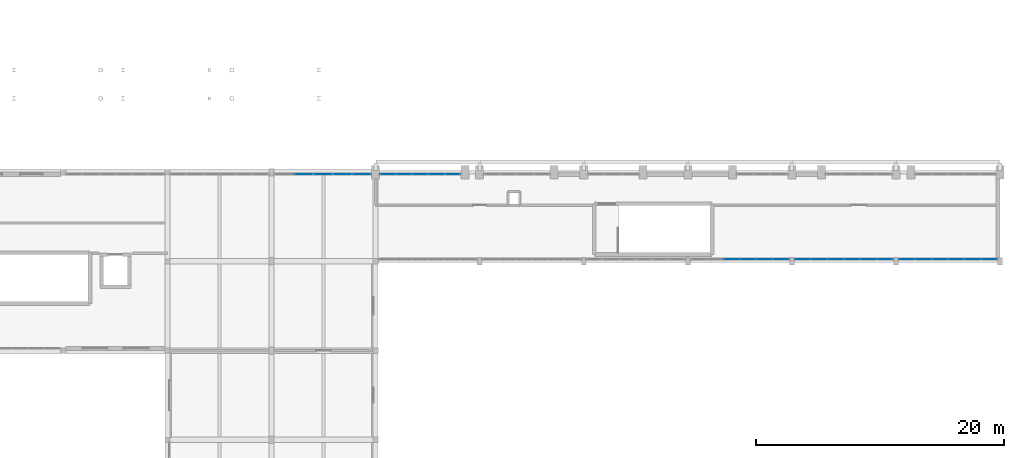
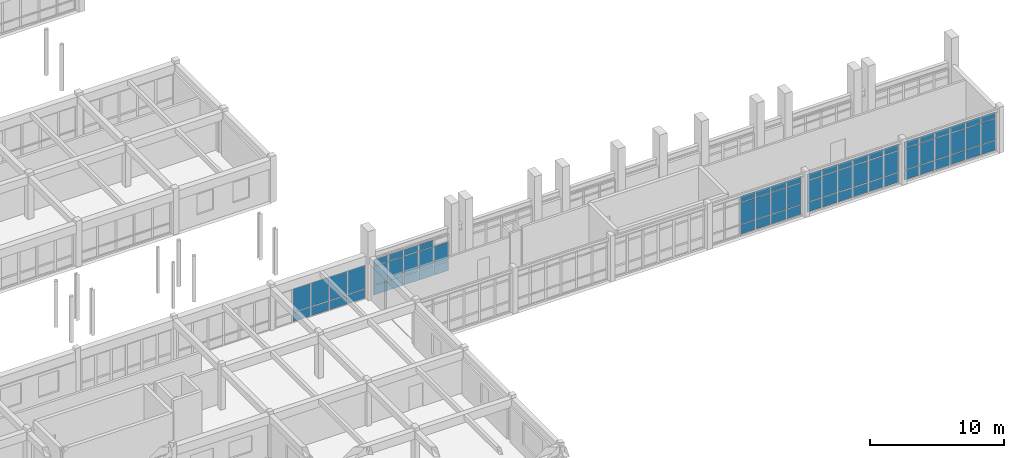
# One storey, part 116 of 147: 70 plates, 5 elements without a shape of their own.
"""IFC4 building model written with IfcOpenShell, lengths in metres."""

from ifc_helpers import new_model, si_unit, direction, frame, origin, origin_2d, place, context, subcontext, project, spatial, rectangle, extrude, material, layer, layer_set, type_object, element, aggregate, save


model = new_model("IFC4")

# Units and contexts
model_context = context("Model", 3, precision=1e-05, world=origin(), true_north=direction((0.0, 1.0)))
body_context = subcontext(model_context, "Body", "Model", "MODEL_VIEW")
ifc_project = project(units=[si_unit("LENGTHUNIT", "METRE"), si_unit("AREAUNIT", "SQUARE_METRE"), si_unit("VOLUMEUNIT", "CUBIC_METRE"), si_unit("PLANEANGLEUNIT", "RADIAN"), si_unit("MASSUNIT", "GRAM", prefix="KILO")], contexts=[model_context])

# Site, building, storey
site_placement = place(None, origin())
site = spatial("IfcSite", under=ifc_project, at=site_placement, CompositionType="ELEMENT")
building_placement = place(site_placement, origin())
building = spatial("IfcBuilding", under=site, at=building_placement, Name="Malvenik Polytechnic", CompositionType="ELEMENT")
storey_placement = place(building_placement, frame((0.0, 0.0, 5.10009765625)))
storey = spatial("IfcBuildingStorey", under=building, at=storey_placement, Name="L01", CompositionType="ELEMENT", Elevation=5.10009765625)

# Curtain wall, plates
ifc_material_1 = material(Name="Anodised aluminium 6060-T6", Category="aluminium")
curtain_wall_type_1 = type_object("IfcCurtainWallType", Name="ARC-CW-CW-02", PredefinedType="NOTDEFINED", material=ifc_material_1)
curtain_wall_1_placement = place(storey_placement, origin())
curtain_wall_1 = element("IfcCurtainWall", 1, at=curtain_wall_1_placement, inside=storey, type_object=curtain_wall_type_1, Name="Unitised Curtain Wall CW-02 L01 #98", PredefinedType="NOTDEFINED")
ifc_material_2 = material(Name="Insulated low-E double glazing 8-16-8", Category="glass")
ifc_layer_1 = layer(ifc_material_2, 0.028076171875)
ifc_layer_set_1 = layer_set([ifc_layer_1], Name="Insulated low-E double glazing 8-16-8")
plate_type_1 = type_object("IfcPlateType", Name="ARC-CWP-CP-GLZ28", PredefinedType="CURTAIN_PANEL", material=ifc_layer_set_1)
plate_1_placement = place(storey_placement, frame((128.561767578125, 35.830078125, 0.929931640625), z_axis=(0.0, 0.0, 1.0), x_axis=(1.0, 0.0, 0.0)))
plate_1 = element("IfcPlate", 2, at=plate_1_placement, type_object=plate_type_1, Name="CW-02 panel 2.2", PredefinedType="CURTAIN_PANEL", context=body_context, shape_type="SweptSolid", body=[
    extrude(rectangle(XDim=1.515869140625, YDim=0.028076171875, at=origin_2d()), origin(), (0.0, 0.0, 1.0), 2.1201171875),
])
plate_2_placement = place(storey_placement, frame((130.137451171875, 35.830078125, 0.929931640625), z_axis=(0.0, 0.0, 1.0), x_axis=(1.0, 0.0, 0.0)))
plate_2 = element("IfcPlate", 3, at=plate_2_placement, type_object=plate_type_1, Name="CW-02 panel 3.2", PredefinedType="CURTAIN_PANEL", context=body_context, shape_type="SweptSolid", body=[
    extrude(rectangle(XDim=1.515869140625, YDim=0.028076171875, at=origin_2d()), origin(), (0.0, 0.0, 1.0), 2.1201171875),
])
plate_3_placement = place(storey_placement, frame((131.71337890625, 35.830078125, 0.929931640625), z_axis=(0.0, 0.0, 1.0), x_axis=(1.0, 0.0, 0.0)))
plate_3 = element("IfcPlate", 4, at=plate_3_placement, type_object=plate_type_1, Name="CW-02 panel 4.2", PredefinedType="CURTAIN_PANEL", context=body_context, shape_type="SweptSolid", body=[
    extrude(rectangle(XDim=1.515869140625, YDim=0.028076171875, at=origin_2d()), origin(), (0.0, 0.0, 1.0), 2.1201171875),
])
plate_4_placement = place(storey_placement, frame((133.274169921875, 35.830078125, 0.929931640625), z_axis=(0.0, 0.0, 1.0), x_axis=(1.0, 0.0, 0.0)))
plate_4 = element("IfcPlate", 5, at=plate_4_placement, type_object=plate_type_1, Name="CW-02 panel 5.2", PredefinedType="CURTAIN_PANEL", context=body_context, shape_type="SweptSolid", body=[
    extrude(rectangle(XDim=1.48583984375, YDim=0.028076171875, at=origin_2d()), origin(), (0.0, 0.0, 1.0), 2.1201171875),
])

curtain_wall_type_2 = type_object("IfcCurtainWallType", Name="ARC-CW-CW-05", PredefinedType="NOTDEFINED", material=ifc_material_1)
curtain_wall_2_placement = place(storey_placement, origin())
curtain_wall_2 = element("IfcCurtainWall", 6, at=curtain_wall_2_placement, inside=storey, type_object=curtain_wall_type_2, Name="Unitised Curtain Wall CW-05 L01 #99", PredefinedType="NOTDEFINED")
plate_5_placement = place(storey_placement, frame((135.393310546875, 35.830078125, 0.97998046875), z_axis=(0.0, 0.0, 1.0), x_axis=(1.0, 0.0, 0.0)))
plate_5 = element("IfcPlate", 7, at=plate_5_placement, type_object=plate_type_1, Name="CW-05 panel 1.2", PredefinedType="CURTAIN_PANEL", context=body_context, shape_type="SweptSolid", body=[
    extrude(rectangle(XDim=1.220703125, YDim=0.028076171875, at=origin_2d()), origin(), (0.0, 0.0, 1.0), 1.68798828125),
])
plate_6_placement = place(storey_placement, frame((135.393310546875, 35.830078125, 2.727783203125), z_axis=(0.0, 0.0, 1.0), x_axis=(1.0, 0.0, 0.0)))
plate_6 = element("IfcPlate", 8, at=plate_6_placement, type_object=plate_type_1, Name="CW-05 panel 1.3", PredefinedType="CURTAIN_PANEL", context=body_context, shape_type="SweptSolid", body=[
    extrude(rectangle(XDim=1.220703125, YDim=0.028076171875, at=origin_2d()), origin(), (0.0, 0.0, 1.0), 0.56005859375),
])
plate_7_placement = place(storey_placement, frame((136.689208984375, 35.830078125, 0.97998046875), z_axis=(0.0, 0.0, 1.0), x_axis=(1.0, 0.0, 0.0)))
plate_7 = element("IfcPlate", 9, at=plate_7_placement, type_object=plate_type_1, Name="CW-05 panel 2.2", PredefinedType="CURTAIN_PANEL", context=body_context, shape_type="SweptSolid", body=[
    extrude(rectangle(XDim=1.250732421875, YDim=0.028076171875, at=origin_2d()), origin(), (0.0, 0.0, 1.0), 1.68798828125),
])
plate_8_placement = place(storey_placement, frame((136.689208984375, 35.830078125, 2.727783203125), z_axis=(0.0, 0.0, 1.0), x_axis=(1.0, 0.0, 0.0)))
plate_8 = element("IfcPlate", 10, at=plate_8_placement, type_object=plate_type_1, Name="CW-05 panel 2.3", PredefinedType="CURTAIN_PANEL", context=body_context, shape_type="SweptSolid", body=[
    extrude(rectangle(XDim=1.250732421875, YDim=0.028076171875, at=origin_2d()), origin(), (0.0, 0.0, 1.0), 0.56005859375),
])
plate_9_placement = place(storey_placement, frame((138.0, 35.830078125, 0.97998046875), z_axis=(0.0, 0.0, 1.0), x_axis=(1.0, 0.0, 0.0)))
plate_9 = element("IfcPlate", 11, at=plate_9_placement, type_object=plate_type_1, Name="CW-05 panel 3.2", PredefinedType="CURTAIN_PANEL", context=body_context, shape_type="SweptSolid", body=[
    extrude(rectangle(XDim=1.250732421875, YDim=0.028076171875, at=origin_2d()), origin(), (0.0, 0.0, 1.0), 1.68798828125),
])
plate_10_placement = place(storey_placement, frame((138.0, 35.830078125, 2.727783203125), z_axis=(0.0, 0.0, 1.0), x_axis=(1.0, 0.0, 0.0)))
plate_10 = element("IfcPlate", 12, at=plate_10_placement, type_object=plate_type_1, Name="CW-05 panel 3.3", PredefinedType="CURTAIN_PANEL", context=body_context, shape_type="SweptSolid", body=[
    extrude(rectangle(XDim=1.250732421875, YDim=0.028076171875, at=origin_2d()), origin(), (0.0, 0.0, 1.0), 0.56005859375),
])
plate_11_placement = place(storey_placement, frame((139.310791015625, 35.830078125, 0.97998046875), z_axis=(0.0, 0.0, 1.0), x_axis=(1.0, 0.0, 0.0)))
plate_11 = element("IfcPlate", 13, at=plate_11_placement, type_object=plate_type_1, Name="CW-05 panel 4.2", PredefinedType="CURTAIN_PANEL", context=body_context, shape_type="SweptSolid", body=[
    extrude(rectangle(XDim=1.250732421875, YDim=0.028076171875, at=origin_2d()), origin(), (0.0, 0.0, 1.0), 1.68798828125),
])
plate_12_placement = place(storey_placement, frame((139.310791015625, 35.830078125, 2.727783203125), z_axis=(0.0, 0.0, 1.0), x_axis=(1.0, 0.0, 0.0)))
plate_12 = element("IfcPlate", 14, at=plate_12_placement, type_object=plate_type_1, Name="CW-05 panel 4.3", PredefinedType="CURTAIN_PANEL", context=body_context, shape_type="SweptSolid", body=[
    extrude(rectangle(XDim=1.250732421875, YDim=0.028076171875, at=origin_2d()), origin(), (0.0, 0.0, 1.0), 0.56005859375),
])
plate_13_placement = place(storey_placement, frame((140.606689453125, 35.830078125, 0.97998046875), z_axis=(0.0, 0.0, 1.0), x_axis=(1.0, 0.0, 0.0)))
plate_13 = element("IfcPlate", 15, at=plate_13_placement, type_object=plate_type_1, Name="CW-05 panel 5.2", PredefinedType="CURTAIN_PANEL", context=body_context, shape_type="SweptSolid", body=[
    extrude(rectangle(XDim=1.220703125, YDim=0.028076171875, at=origin_2d()), origin(), (0.0, 0.0, 1.0), 1.68798828125),
])

curtain_wall_3_placement = place(storey_placement, origin())
curtain_wall_3 = element("IfcCurtainWall", 16, at=curtain_wall_3_placement, inside=storey, type_object=curtain_wall_type_1, Name="Unitised Curtain Wall CW-02 L01 #105", PredefinedType="NOTDEFINED")
plate_14_placement = place(storey_placement, frame((183.919921875, 28.969970703125, 0.97998046875), z_axis=(0.0, 0.0, 1.0), x_axis=(-1.0, 0.0, 0.0)))
plate_14 = element("IfcPlate", 17, at=plate_14_placement, type_object=plate_type_1, Name="CW-02 panel 1.2", PredefinedType="CURTAIN_PANEL", context=body_context, shape_type="SweptSolid", body=[
    extrude(rectangle(XDim=1.243896484375, YDim=0.028076171875, at=origin_2d()), origin(), (0.0, 0.0, 1.0), 1.93798828125),
])
plate_15_placement = place(storey_placement, frame((183.919921875, 28.969970703125, 2.977783203125), z_axis=(0.0, 0.0, 1.0), x_axis=(-1.0, 0.0, 0.0)))
plate_15 = element("IfcPlate", 18, at=plate_15_placement, type_object=plate_type_1, Name="CW-02 panel 1.3", PredefinedType="CURTAIN_PANEL", context=body_context, shape_type="SweptSolid", body=[
    extrude(rectangle(XDim=1.243896484375, YDim=0.028076171875, at=origin_2d()), origin(), (0.0, 0.0, 1.0), 0.56005859375),
])
plate_16_placement = place(storey_placement, frame((182.60107421875, 28.969970703125, 0.97998046875), z_axis=(0.0, 0.0, 1.0), x_axis=(-1.0, 0.0, 0.0)))
plate_16 = element("IfcPlate", 19, at=plate_16_placement, type_object=plate_type_1, Name="CW-02 panel 2.2", PredefinedType="CURTAIN_PANEL", context=body_context, shape_type="SweptSolid", body=[
    extrude(rectangle(XDim=1.27392578125, YDim=0.028076171875, at=origin_2d()), origin(), (0.0, 0.0, 1.0), 1.93798828125),
])
plate_17_placement = place(storey_placement, frame((182.60107421875, 28.969970703125, 2.977783203125), z_axis=(0.0, 0.0, 1.0), x_axis=(-1.0, 0.0, 0.0)))
plate_17 = element("IfcPlate", 20, at=plate_17_placement, type_object=plate_type_1, Name="CW-02 panel 2.3", PredefinedType="CURTAIN_PANEL", context=body_context, shape_type="SweptSolid", body=[
    extrude(rectangle(XDim=1.27392578125, YDim=0.028076171875, at=origin_2d()), origin(), (0.0, 0.0, 1.0), 0.56005859375),
])
plate_18_placement = place(storey_placement, frame((181.26708984375, 28.969970703125, 0.97998046875), z_axis=(0.0, 0.0, 1.0), x_axis=(-1.0, 0.0, 0.0)))
plate_18 = element("IfcPlate", 21, at=plate_18_placement, type_object=plate_type_1, Name="CW-02 panel 3.2", PredefinedType="CURTAIN_PANEL", context=body_context, shape_type="SweptSolid", body=[
    extrude(rectangle(XDim=1.27392578125, YDim=0.028076171875, at=origin_2d()), origin(), (0.0, 0.0, 1.0), 1.93798828125),
])
plate_19_placement = place(storey_placement, frame((181.26708984375, 28.969970703125, 2.977783203125), z_axis=(0.0, 0.0, 1.0), x_axis=(-1.0, 0.0, 0.0)))
plate_19 = element("IfcPlate", 22, at=plate_19_placement, type_object=plate_type_1, Name="CW-02 panel 3.3", PredefinedType="CURTAIN_PANEL", context=body_context, shape_type="SweptSolid", body=[
    extrude(rectangle(XDim=1.27392578125, YDim=0.028076171875, at=origin_2d()), origin(), (0.0, 0.0, 1.0), 0.56005859375),
])
plate_20_placement = place(storey_placement, frame((179.93310546875, 28.969970703125, 0.97998046875), z_axis=(0.0, 0.0, 1.0), x_axis=(-1.0, 0.0, 0.0)))
plate_20 = element("IfcPlate", 23, at=plate_20_placement, type_object=plate_type_1, Name="CW-02 panel 4.2", PredefinedType="CURTAIN_PANEL", context=body_context, shape_type="SweptSolid", body=[
    extrude(rectangle(XDim=1.27392578125, YDim=0.028076171875, at=origin_2d()), origin(), (0.0, 0.0, 1.0), 1.93798828125),
])
plate_21_placement = place(storey_placement, frame((179.93310546875, 28.969970703125, 2.977783203125), z_axis=(0.0, 0.0, 1.0), x_axis=(-1.0, 0.0, 0.0)))
plate_21 = element("IfcPlate", 24, at=plate_21_placement, type_object=plate_type_1, Name="CW-02 panel 4.3", PredefinedType="CURTAIN_PANEL", context=body_context, shape_type="SweptSolid", body=[
    extrude(rectangle(XDim=1.27392578125, YDim=0.028076171875, at=origin_2d()), origin(), (0.0, 0.0, 1.0), 0.56005859375),
])
plate_22_placement = place(storey_placement, frame((178.59912109375, 28.969970703125, 0.97998046875), z_axis=(0.0, 0.0, 1.0), x_axis=(-1.0, 0.0, 0.0)))
plate_22 = element("IfcPlate", 25, at=plate_22_placement, type_object=plate_type_1, Name="CW-02 panel 5.2", PredefinedType="CURTAIN_PANEL", context=body_context, shape_type="SweptSolid", body=[
    extrude(rectangle(XDim=1.27392578125, YDim=0.028076171875, at=origin_2d()), origin(), (0.0, 0.0, 1.0), 1.93798828125),
])
plate_23_placement = place(storey_placement, frame((178.59912109375, 28.969970703125, 2.977783203125), z_axis=(0.0, 0.0, 1.0), x_axis=(-1.0, 0.0, 0.0)))
plate_23 = element("IfcPlate", 26, at=plate_23_placement, type_object=plate_type_1, Name="CW-02 panel 5.3", PredefinedType="CURTAIN_PANEL", context=body_context, shape_type="SweptSolid", body=[
    extrude(rectangle(XDim=1.27392578125, YDim=0.028076171875, at=origin_2d()), origin(), (0.0, 0.0, 1.0), 0.56005859375),
])
plate_24_placement = place(storey_placement, frame((177.280029296875, 28.969970703125, 0.97998046875), z_axis=(0.0, 0.0, 1.0), x_axis=(-1.0, 0.0, 0.0)))
plate_24 = element("IfcPlate", 27, at=plate_24_placement, type_object=plate_type_1, Name="CW-02 panel 6.2", PredefinedType="CURTAIN_PANEL", context=body_context, shape_type="SweptSolid", body=[
    extrude(rectangle(XDim=1.243896484375, YDim=0.028076171875, at=origin_2d()), origin(), (0.0, 0.0, 1.0), 1.93798828125),
])
plate_25_placement = place(storey_placement, frame((177.280029296875, 28.969970703125, 2.977783203125), z_axis=(0.0, 0.0, 1.0), x_axis=(-1.0, 0.0, 0.0)))
plate_25 = element("IfcPlate", 28, at=plate_25_placement, type_object=plate_type_1, Name="CW-02 panel 6.3", PredefinedType="CURTAIN_PANEL", context=body_context, shape_type="SweptSolid", body=[
    extrude(rectangle(XDim=1.243896484375, YDim=0.028076171875, at=origin_2d()), origin(), (0.0, 0.0, 1.0), 0.56005859375),
])

curtain_wall_4_placement = place(storey_placement, origin())
curtain_wall_4 = element("IfcCurtainWall", 29, at=curtain_wall_4_placement, inside=storey, type_object=curtain_wall_type_1, Name="Unitised Curtain Wall CW-02 L01 #106", PredefinedType="NOTDEFINED")
plate_26_placement = place(storey_placement, frame((175.52001953125, 28.969970703125, 0.97998046875), z_axis=(0.0, 0.0, 1.0), x_axis=(-1.0, 0.0, 0.0)))
plate_26 = element("IfcPlate", 30, at=plate_26_placement, type_object=plate_type_1, Name="CW-02 panel 1.2", PredefinedType="CURTAIN_PANEL", context=body_context, shape_type="SweptSolid", body=[
    extrude(rectangle(XDim=1.243896484375, YDim=0.028076171875, at=origin_2d()), origin(), (0.0, 0.0, 1.0), 1.93798828125),
])
plate_27_placement = place(storey_placement, frame((175.52001953125, 28.969970703125, 2.977783203125), z_axis=(0.0, 0.0, 1.0), x_axis=(-1.0, 0.0, 0.0)))
plate_27 = element("IfcPlate", 31, at=plate_27_placement, type_object=plate_type_1, Name="CW-02 panel 1.3", PredefinedType="CURTAIN_PANEL", context=body_context, shape_type="SweptSolid", body=[
    extrude(rectangle(XDim=1.243896484375, YDim=0.028076171875, at=origin_2d()), origin(), (0.0, 0.0, 1.0), 0.56005859375),
])
plate_28_placement = place(storey_placement, frame((174.200927734375, 28.969970703125, 0.97998046875), z_axis=(0.0, 0.0, 1.0), x_axis=(-1.0, 0.0, 0.0)))
plate_28 = element("IfcPlate", 32, at=plate_28_placement, type_object=plate_type_1, Name="CW-02 panel 2.2", PredefinedType="CURTAIN_PANEL", context=body_context, shape_type="SweptSolid", body=[
    extrude(rectangle(XDim=1.27392578125, YDim=0.028076171875, at=origin_2d()), origin(), (0.0, 0.0, 1.0), 1.93798828125),
])
plate_29_placement = place(storey_placement, frame((174.200927734375, 28.969970703125, 2.977783203125), z_axis=(0.0, 0.0, 1.0), x_axis=(-1.0, 0.0, 0.0)))
plate_29 = element("IfcPlate", 33, at=plate_29_placement, type_object=plate_type_1, Name="CW-02 panel 2.3", PredefinedType="CURTAIN_PANEL", context=body_context, shape_type="SweptSolid", body=[
    extrude(rectangle(XDim=1.27392578125, YDim=0.028076171875, at=origin_2d()), origin(), (0.0, 0.0, 1.0), 0.56005859375),
])
plate_30_placement = place(storey_placement, frame((172.866943359375, 28.969970703125, 0.97998046875), z_axis=(0.0, 0.0, 1.0), x_axis=(-1.0, 0.0, 0.0)))
plate_30 = element("IfcPlate", 34, at=plate_30_placement, type_object=plate_type_1, Name="CW-02 panel 3.2", PredefinedType="CURTAIN_PANEL", context=body_context, shape_type="SweptSolid", body=[
    extrude(rectangle(XDim=1.27392578125, YDim=0.028076171875, at=origin_2d()), origin(), (0.0, 0.0, 1.0), 1.93798828125),
])
plate_31_placement = place(storey_placement, frame((172.866943359375, 28.969970703125, 2.977783203125), z_axis=(0.0, 0.0, 1.0), x_axis=(-1.0, 0.0, 0.0)))
plate_31 = element("IfcPlate", 35, at=plate_31_placement, type_object=plate_type_1, Name="CW-02 panel 3.3", PredefinedType="CURTAIN_PANEL", context=body_context, shape_type="SweptSolid", body=[
    extrude(rectangle(XDim=1.27392578125, YDim=0.028076171875, at=origin_2d()), origin(), (0.0, 0.0, 1.0), 0.56005859375),
])
plate_32_placement = place(storey_placement, frame((171.532958984375, 28.969970703125, 0.97998046875), z_axis=(0.0, 0.0, 1.0), x_axis=(-1.0, 0.0, 0.0)))
plate_32 = element("IfcPlate", 36, at=plate_32_placement, type_object=plate_type_1, Name="CW-02 panel 4.2", PredefinedType="CURTAIN_PANEL", context=body_context, shape_type="SweptSolid", body=[
    extrude(rectangle(XDim=1.27392578125, YDim=0.028076171875, at=origin_2d()), origin(), (0.0, 0.0, 1.0), 1.93798828125),
])
plate_33_placement = place(storey_placement, frame((171.532958984375, 28.969970703125, 2.977783203125), z_axis=(0.0, 0.0, 1.0), x_axis=(-1.0, 0.0, 0.0)))
plate_33 = element("IfcPlate", 37, at=plate_33_placement, type_object=plate_type_1, Name="CW-02 panel 4.3", PredefinedType="CURTAIN_PANEL", context=body_context, shape_type="SweptSolid", body=[
    extrude(rectangle(XDim=1.27392578125, YDim=0.028076171875, at=origin_2d()), origin(), (0.0, 0.0, 1.0), 0.56005859375),
])
plate_34_placement = place(storey_placement, frame((170.198974609375, 28.969970703125, 0.97998046875), z_axis=(0.0, 0.0, 1.0), x_axis=(-1.0, 0.0, 0.0)))
plate_34 = element("IfcPlate", 38, at=plate_34_placement, type_object=plate_type_1, Name="CW-02 panel 5.2", PredefinedType="CURTAIN_PANEL", context=body_context, shape_type="SweptSolid", body=[
    extrude(rectangle(XDim=1.27392578125, YDim=0.028076171875, at=origin_2d()), origin(), (0.0, 0.0, 1.0), 1.93798828125),
])
plate_35_placement = place(storey_placement, frame((170.198974609375, 28.969970703125, 2.977783203125), z_axis=(0.0, 0.0, 1.0), x_axis=(-1.0, 0.0, 0.0)))
plate_35 = element("IfcPlate", 39, at=plate_35_placement, type_object=plate_type_1, Name="CW-02 panel 5.3", PredefinedType="CURTAIN_PANEL", context=body_context, shape_type="SweptSolid", body=[
    extrude(rectangle(XDim=1.27392578125, YDim=0.028076171875, at=origin_2d()), origin(), (0.0, 0.0, 1.0), 0.56005859375),
])
plate_36_placement = place(storey_placement, frame((168.8798828125, 28.969970703125, 0.97998046875), z_axis=(0.0, 0.0, 1.0), x_axis=(-1.0, 0.0, 0.0)))
plate_36 = element("IfcPlate", 40, at=plate_36_placement, type_object=plate_type_1, Name="CW-02 panel 6.2", PredefinedType="CURTAIN_PANEL", context=body_context, shape_type="SweptSolid", body=[
    extrude(rectangle(XDim=1.243896484375, YDim=0.028076171875, at=origin_2d()), origin(), (0.0, 0.0, 1.0), 1.93798828125),
])
plate_37_placement = place(storey_placement, frame((168.8798828125, 28.969970703125, 2.977783203125), z_axis=(0.0, 0.0, 1.0), x_axis=(-1.0, 0.0, 0.0)))
plate_37 = element("IfcPlate", 41, at=plate_37_placement, type_object=plate_type_1, Name="CW-02 panel 6.3", PredefinedType="CURTAIN_PANEL", context=body_context, shape_type="SweptSolid", body=[
    extrude(rectangle(XDim=1.243896484375, YDim=0.028076171875, at=origin_2d()), origin(), (0.0, 0.0, 1.0), 0.56005859375),
])

curtain_wall_5_placement = place(storey_placement, origin())
curtain_wall_5 = element("IfcCurtainWall", 42, at=curtain_wall_5_placement, inside=storey, type_object=curtain_wall_type_1, Name="Unitised Curtain Wall CW-02 L01 #107", PredefinedType="NOTDEFINED")
plate_38_placement = place(storey_placement, frame((167.1201171875, 28.969970703125, 0.97998046875), z_axis=(0.0, 0.0, 1.0), x_axis=(-1.0, 0.0, 0.0)))
plate_38 = element("IfcPlate", 43, at=plate_38_placement, type_object=plate_type_1, Name="CW-02 panel 1.2", PredefinedType="CURTAIN_PANEL", context=body_context, shape_type="SweptSolid", body=[
    extrude(rectangle(XDim=1.243896484375, YDim=0.028076171875, at=origin_2d()), origin(), (0.0, 0.0, 1.0), 1.93798828125),
])
plate_39_placement = place(storey_placement, frame((167.1201171875, 28.969970703125, 2.977783203125), z_axis=(0.0, 0.0, 1.0), x_axis=(-1.0, 0.0, 0.0)))
plate_39 = element("IfcPlate", 44, at=plate_39_placement, type_object=plate_type_1, Name="CW-02 panel 1.3", PredefinedType="CURTAIN_PANEL", context=body_context, shape_type="SweptSolid", body=[
    extrude(rectangle(XDim=1.243896484375, YDim=0.028076171875, at=origin_2d()), origin(), (0.0, 0.0, 1.0), 0.56005859375),
])
plate_40_placement = place(storey_placement, frame((165.801025390625, 28.969970703125, 0.97998046875), z_axis=(0.0, 0.0, 1.0), x_axis=(-1.0, 0.0, 0.0)))
plate_40 = element("IfcPlate", 45, at=plate_40_placement, type_object=plate_type_1, Name="CW-02 panel 2.2", PredefinedType="CURTAIN_PANEL", context=body_context, shape_type="SweptSolid", body=[
    extrude(rectangle(XDim=1.27392578125, YDim=0.028076171875, at=origin_2d()), origin(), (0.0, 0.0, 1.0), 1.93798828125),
])
plate_41_placement = place(storey_placement, frame((165.801025390625, 28.969970703125, 2.977783203125), z_axis=(0.0, 0.0, 1.0), x_axis=(-1.0, 0.0, 0.0)))
plate_41 = element("IfcPlate", 46, at=plate_41_placement, type_object=plate_type_1, Name="CW-02 panel 2.3", PredefinedType="CURTAIN_PANEL", context=body_context, shape_type="SweptSolid", body=[
    extrude(rectangle(XDim=1.27392578125, YDim=0.028076171875, at=origin_2d()), origin(), (0.0, 0.0, 1.0), 0.56005859375),
])
plate_42_placement = place(storey_placement, frame((164.467041015625, 28.969970703125, 0.97998046875), z_axis=(0.0, 0.0, 1.0), x_axis=(-1.0, 0.0, 0.0)))
plate_42 = element("IfcPlate", 47, at=plate_42_placement, type_object=plate_type_1, Name="CW-02 panel 3.2", PredefinedType="CURTAIN_PANEL", context=body_context, shape_type="SweptSolid", body=[
    extrude(rectangle(XDim=1.27392578125, YDim=0.028076171875, at=origin_2d()), origin(), (0.0, 0.0, 1.0), 1.93798828125),
])
plate_43_placement = place(storey_placement, frame((164.467041015625, 28.969970703125, 2.977783203125), z_axis=(0.0, 0.0, 1.0), x_axis=(-1.0, 0.0, 0.0)))
plate_43 = element("IfcPlate", 48, at=plate_43_placement, type_object=plate_type_1, Name="CW-02 panel 3.3", PredefinedType="CURTAIN_PANEL", context=body_context, shape_type="SweptSolid", body=[
    extrude(rectangle(XDim=1.27392578125, YDim=0.028076171875, at=origin_2d()), origin(), (0.0, 0.0, 1.0), 0.56005859375),
])
plate_44_placement = place(storey_placement, frame((163.133056640625, 28.969970703125, 0.97998046875), z_axis=(0.0, 0.0, 1.0), x_axis=(-1.0, 0.0, 0.0)))
plate_44 = element("IfcPlate", 49, at=plate_44_placement, type_object=plate_type_1, Name="CW-02 panel 4.2", PredefinedType="CURTAIN_PANEL", context=body_context, shape_type="SweptSolid", body=[
    extrude(rectangle(XDim=1.27392578125, YDim=0.028076171875, at=origin_2d()), origin(), (0.0, 0.0, 1.0), 1.93798828125),
])
plate_45_placement = place(storey_placement, frame((163.133056640625, 28.969970703125, 2.977783203125), z_axis=(0.0, 0.0, 1.0), x_axis=(-1.0, 0.0, 0.0)))
plate_45 = element("IfcPlate", 50, at=plate_45_placement, type_object=plate_type_1, Name="CW-02 panel 4.3", PredefinedType="CURTAIN_PANEL", context=body_context, shape_type="SweptSolid", body=[
    extrude(rectangle(XDim=1.27392578125, YDim=0.028076171875, at=origin_2d()), origin(), (0.0, 0.0, 1.0), 0.56005859375),
])

# Plate
ifc_material_3 = material(Name="Insulated aluminium spandrel cassette 42mm", Category="aluminium")
ifc_layer_2 = layer(ifc_material_3, 0.0419921875)
ifc_layer_set_2 = layer_set([ifc_layer_2], Name="Insulated aluminium spandrel cassette 42mm")
plate_type_2 = type_object("IfcPlateType", Name="ARC-CWP-CP-SPN42", PredefinedType="CURTAIN_PANEL", material=ifc_layer_set_2)
plate_46_placement = place(storey_placement, frame((128.561767578125, 35.830078125, 0.059814453125), z_axis=(0.0, 0.0, 1.0), x_axis=(1.0, 0.0, 0.0)))
plate_46 = element("IfcPlate", 51, at=plate_46_placement, type_object=plate_type_2, Name="CW-02 panel 2.1", PredefinedType="CURTAIN_PANEL", context=body_context, shape_type="SweptSolid", body=[
    extrude(rectangle(XDim=1.515869140625, YDim=0.028076171875, at=origin_2d()), origin(), (0.0, 0.0, 1.0), 0.81005859375),
])

plate_47_placement = place(storey_placement, frame((130.137451171875, 35.830078125, 0.059814453125), z_axis=(0.0, 0.0, 1.0), x_axis=(1.0, 0.0, 0.0)))
plate_47 = element("IfcPlate", 52, at=plate_47_placement, type_object=plate_type_2, Name="CW-02 panel 3.1", PredefinedType="CURTAIN_PANEL", context=body_context, shape_type="SweptSolid", body=[
    extrude(rectangle(XDim=1.515869140625, YDim=0.028076171875, at=origin_2d()), origin(), (0.0, 0.0, 1.0), 0.81005859375),
])

plate_48_placement = place(storey_placement, frame((131.71337890625, 35.830078125, 0.059814453125), z_axis=(0.0, 0.0, 1.0), x_axis=(1.0, 0.0, 0.0)))
plate_48 = element("IfcPlate", 53, at=plate_48_placement, type_object=plate_type_2, Name="CW-02 panel 4.1", PredefinedType="CURTAIN_PANEL", context=body_context, shape_type="SweptSolid", body=[
    extrude(rectangle(XDim=1.515869140625, YDim=0.028076171875, at=origin_2d()), origin(), (0.0, 0.0, 1.0), 0.81005859375),
])

plate_49_placement = place(storey_placement, frame((133.274169921875, 35.830078125, 0.059814453125), z_axis=(0.0, 0.0, 1.0), x_axis=(1.0, 0.0, 0.0)))
plate_49 = element("IfcPlate", 54, at=plate_49_placement, type_object=plate_type_2, Name="CW-02 panel 5.1", PredefinedType="CURTAIN_PANEL", context=body_context, shape_type="SweptSolid", body=[
    extrude(rectangle(XDim=1.48583984375, YDim=0.028076171875, at=origin_2d()), origin(), (0.0, 0.0, 1.0), 0.81005859375),
])

aggregate(curtain_wall_1, [plate_46, plate_1, plate_47, plate_2, plate_48, plate_3, plate_49, plate_4])

plate_50_placement = place(storey_placement, frame((135.393310546875, 35.830078125, 0.06005859375), z_axis=(0.0, 0.0, 1.0), x_axis=(1.0, 0.0, 0.0)))
plate_50 = element("IfcPlate", 55, at=plate_50_placement, type_object=plate_type_2, Name="CW-05 panel 1.1", PredefinedType="CURTAIN_PANEL", context=body_context, shape_type="SweptSolid", body=[
    extrude(rectangle(XDim=1.220703125, YDim=0.028076171875, at=origin_2d()), origin(), (0.0, 0.0, 1.0), 0.860107421875),
])

plate_51_placement = place(storey_placement, frame((136.689208984375, 35.830078125, 0.06005859375), z_axis=(0.0, 0.0, 1.0), x_axis=(1.0, 0.0, 0.0)))
plate_51 = element("IfcPlate", 56, at=plate_51_placement, type_object=plate_type_2, Name="CW-05 panel 2.1", PredefinedType="CURTAIN_PANEL", context=body_context, shape_type="SweptSolid", body=[
    extrude(rectangle(XDim=1.250732421875, YDim=0.028076171875, at=origin_2d()), origin(), (0.0, 0.0, 1.0), 0.860107421875),
])

plate_52_placement = place(storey_placement, frame((138.0, 35.830078125, 0.06005859375), z_axis=(0.0, 0.0, 1.0), x_axis=(1.0, 0.0, 0.0)))
plate_52 = element("IfcPlate", 57, at=plate_52_placement, type_object=plate_type_2, Name="CW-05 panel 3.1", PredefinedType="CURTAIN_PANEL", context=body_context, shape_type="SweptSolid", body=[
    extrude(rectangle(XDim=1.250732421875, YDim=0.028076171875, at=origin_2d()), origin(), (0.0, 0.0, 1.0), 0.860107421875),
])

plate_53_placement = place(storey_placement, frame((139.310791015625, 35.830078125, 0.06005859375), z_axis=(0.0, 0.0, 1.0), x_axis=(1.0, 0.0, 0.0)))
plate_53 = element("IfcPlate", 58, at=plate_53_placement, type_object=plate_type_2, Name="CW-05 panel 4.1", PredefinedType="CURTAIN_PANEL", context=body_context, shape_type="SweptSolid", body=[
    extrude(rectangle(XDim=1.250732421875, YDim=0.028076171875, at=origin_2d()), origin(), (0.0, 0.0, 1.0), 0.860107421875),
])

plate_54_placement = place(storey_placement, frame((140.606689453125, 35.830078125, 0.06005859375), z_axis=(0.0, 0.0, 1.0), x_axis=(1.0, 0.0, 0.0)))
plate_54 = element("IfcPlate", 59, at=plate_54_placement, type_object=plate_type_2, Name="CW-05 panel 5.1", PredefinedType="CURTAIN_PANEL", context=body_context, shape_type="SweptSolid", body=[
    extrude(rectangle(XDim=1.220703125, YDim=0.028076171875, at=origin_2d()), origin(), (0.0, 0.0, 1.0), 0.860107421875),
])

aggregate(curtain_wall_2, [plate_50, plate_5, plate_6, plate_51, plate_7, plate_8, plate_52, plate_9, plate_10, plate_53, plate_11, plate_12, plate_54, plate_13])

plate_55_placement = place(storey_placement, frame((183.919921875, 28.969970703125, 0.06005859375), z_axis=(0.0, 0.0, 1.0), x_axis=(-1.0, 0.0, 0.0)))
plate_55 = element("IfcPlate", 60, at=plate_55_placement, type_object=plate_type_2, Name="CW-02 panel 1.1", PredefinedType="CURTAIN_PANEL", context=body_context, shape_type="SweptSolid", body=[
    extrude(rectangle(XDim=1.243896484375, YDim=0.028076171875, at=origin_2d()), origin(), (0.0, 0.0, 1.0), 0.860107421875),
])

plate_56_placement = place(storey_placement, frame((182.60107421875, 28.969970703125, 0.06005859375), z_axis=(0.0, 0.0, 1.0), x_axis=(-1.0, 0.0, 0.0)))
plate_56 = element("IfcPlate", 61, at=plate_56_placement, type_object=plate_type_2, Name="CW-02 panel 2.1", PredefinedType="CURTAIN_PANEL", context=body_context, shape_type="SweptSolid", body=[
    extrude(rectangle(XDim=1.27392578125, YDim=0.028076171875, at=origin_2d()), origin(), (0.0, 0.0, 1.0), 0.860107421875),
])

plate_57_placement = place(storey_placement, frame((181.26708984375, 28.969970703125, 0.06005859375), z_axis=(0.0, 0.0, 1.0), x_axis=(-1.0, 0.0, 0.0)))
plate_57 = element("IfcPlate", 62, at=plate_57_placement, type_object=plate_type_2, Name="CW-02 panel 3.1", PredefinedType="CURTAIN_PANEL", context=body_context, shape_type="SweptSolid", body=[
    extrude(rectangle(XDim=1.27392578125, YDim=0.028076171875, at=origin_2d()), origin(), (0.0, 0.0, 1.0), 0.860107421875),
])

plate_58_placement = place(storey_placement, frame((179.93310546875, 28.969970703125, 0.06005859375), z_axis=(0.0, 0.0, 1.0), x_axis=(-1.0, 0.0, 0.0)))
plate_58 = element("IfcPlate", 63, at=plate_58_placement, type_object=plate_type_2, Name="CW-02 panel 4.1", PredefinedType="CURTAIN_PANEL", context=body_context, shape_type="SweptSolid", body=[
    extrude(rectangle(XDim=1.27392578125, YDim=0.028076171875, at=origin_2d()), origin(), (0.0, 0.0, 1.0), 0.860107421875),
])

plate_59_placement = place(storey_placement, frame((178.59912109375, 28.969970703125, 0.06005859375), z_axis=(0.0, 0.0, 1.0), x_axis=(-1.0, 0.0, 0.0)))
plate_59 = element("IfcPlate", 64, at=plate_59_placement, type_object=plate_type_2, Name="CW-02 panel 5.1", PredefinedType="CURTAIN_PANEL", context=body_context, shape_type="SweptSolid", body=[
    extrude(rectangle(XDim=1.27392578125, YDim=0.028076171875, at=origin_2d()), origin(), (0.0, 0.0, 1.0), 0.860107421875),
])

plate_60_placement = place(storey_placement, frame((177.280029296875, 28.969970703125, 0.06005859375), z_axis=(0.0, 0.0, 1.0), x_axis=(-1.0, 0.0, 0.0)))
plate_60 = element("IfcPlate", 65, at=plate_60_placement, type_object=plate_type_2, Name="CW-02 panel 6.1", PredefinedType="CURTAIN_PANEL", context=body_context, shape_type="SweptSolid", body=[
    extrude(rectangle(XDim=1.243896484375, YDim=0.028076171875, at=origin_2d()), origin(), (0.0, 0.0, 1.0), 0.860107421875),
])

aggregate(curtain_wall_3, [plate_55, plate_14, plate_15, plate_56, plate_16, plate_17, plate_57, plate_18, plate_19, plate_58, plate_20, plate_21, plate_59, plate_22, plate_23, plate_60, plate_24, plate_25])

plate_61_placement = place(storey_placement, frame((175.52001953125, 28.969970703125, 0.06005859375), z_axis=(0.0, 0.0, 1.0), x_axis=(-1.0, 0.0, 0.0)))
plate_61 = element("IfcPlate", 66, at=plate_61_placement, type_object=plate_type_2, Name="CW-02 panel 1.1", PredefinedType="CURTAIN_PANEL", context=body_context, shape_type="SweptSolid", body=[
    extrude(rectangle(XDim=1.243896484375, YDim=0.028076171875, at=origin_2d()), origin(), (0.0, 0.0, 1.0), 0.860107421875),
])

plate_62_placement = place(storey_placement, frame((174.200927734375, 28.969970703125, 0.06005859375), z_axis=(0.0, 0.0, 1.0), x_axis=(-1.0, 0.0, 0.0)))
plate_62 = element("IfcPlate", 67, at=plate_62_placement, type_object=plate_type_2, Name="CW-02 panel 2.1", PredefinedType="CURTAIN_PANEL", context=body_context, shape_type="SweptSolid", body=[
    extrude(rectangle(XDim=1.27392578125, YDim=0.028076171875, at=origin_2d()), origin(), (0.0, 0.0, 1.0), 0.860107421875),
])

plate_63_placement = place(storey_placement, frame((172.866943359375, 28.969970703125, 0.06005859375), z_axis=(0.0, 0.0, 1.0), x_axis=(-1.0, 0.0, 0.0)))
plate_63 = element("IfcPlate", 68, at=plate_63_placement, type_object=plate_type_2, Name="CW-02 panel 3.1", PredefinedType="CURTAIN_PANEL", context=body_context, shape_type="SweptSolid", body=[
    extrude(rectangle(XDim=1.27392578125, YDim=0.028076171875, at=origin_2d()), origin(), (0.0, 0.0, 1.0), 0.860107421875),
])

plate_64_placement = place(storey_placement, frame((171.532958984375, 28.969970703125, 0.06005859375), z_axis=(0.0, 0.0, 1.0), x_axis=(-1.0, 0.0, 0.0)))
plate_64 = element("IfcPlate", 69, at=plate_64_placement, type_object=plate_type_2, Name="CW-02 panel 4.1", PredefinedType="CURTAIN_PANEL", context=body_context, shape_type="SweptSolid", body=[
    extrude(rectangle(XDim=1.27392578125, YDim=0.028076171875, at=origin_2d()), origin(), (0.0, 0.0, 1.0), 0.860107421875),
])

plate_65_placement = place(storey_placement, frame((170.198974609375, 28.969970703125, 0.06005859375), z_axis=(0.0, 0.0, 1.0), x_axis=(-1.0, 0.0, 0.0)))
plate_65 = element("IfcPlate", 70, at=plate_65_placement, type_object=plate_type_2, Name="CW-02 panel 5.1", PredefinedType="CURTAIN_PANEL", context=body_context, shape_type="SweptSolid", body=[
    extrude(rectangle(XDim=1.27392578125, YDim=0.028076171875, at=origin_2d()), origin(), (0.0, 0.0, 1.0), 0.860107421875),
])

plate_66_placement = place(storey_placement, frame((168.8798828125, 28.969970703125, 0.06005859375), z_axis=(0.0, 0.0, 1.0), x_axis=(-1.0, 0.0, 0.0)))
plate_66 = element("IfcPlate", 71, at=plate_66_placement, type_object=plate_type_2, Name="CW-02 panel 6.1", PredefinedType="CURTAIN_PANEL", context=body_context, shape_type="SweptSolid", body=[
    extrude(rectangle(XDim=1.243896484375, YDim=0.028076171875, at=origin_2d()), origin(), (0.0, 0.0, 1.0), 0.860107421875),
])

aggregate(curtain_wall_4, [plate_61, plate_26, plate_27, plate_62, plate_28, plate_29, plate_63, plate_30, plate_31, plate_64, plate_32, plate_33, plate_65, plate_34, plate_35, plate_66, plate_36, plate_37])

plate_67_placement = place(storey_placement, frame((167.1201171875, 28.969970703125, 0.06005859375), z_axis=(0.0, 0.0, 1.0), x_axis=(-1.0, 0.0, 0.0)))
plate_67 = element("IfcPlate", 72, at=plate_67_placement, type_object=plate_type_2, Name="CW-02 panel 1.1", PredefinedType="CURTAIN_PANEL", context=body_context, shape_type="SweptSolid", body=[
    extrude(rectangle(XDim=1.243896484375, YDim=0.028076171875, at=origin_2d()), origin(), (0.0, 0.0, 1.0), 0.860107421875),
])

plate_68_placement = place(storey_placement, frame((165.801025390625, 28.969970703125, 0.06005859375), z_axis=(0.0, 0.0, 1.0), x_axis=(-1.0, 0.0, 0.0)))
plate_68 = element("IfcPlate", 73, at=plate_68_placement, type_object=plate_type_2, Name="CW-02 panel 2.1", PredefinedType="CURTAIN_PANEL", context=body_context, shape_type="SweptSolid", body=[
    extrude(rectangle(XDim=1.27392578125, YDim=0.028076171875, at=origin_2d()), origin(), (0.0, 0.0, 1.0), 0.860107421875),
])

plate_69_placement = place(storey_placement, frame((164.467041015625, 28.969970703125, 0.06005859375), z_axis=(0.0, 0.0, 1.0), x_axis=(-1.0, 0.0, 0.0)))
plate_69 = element("IfcPlate", 74, at=plate_69_placement, type_object=plate_type_2, Name="CW-02 panel 3.1", PredefinedType="CURTAIN_PANEL", context=body_context, shape_type="SweptSolid", body=[
    extrude(rectangle(XDim=1.27392578125, YDim=0.028076171875, at=origin_2d()), origin(), (0.0, 0.0, 1.0), 0.860107421875),
])

plate_70_placement = place(storey_placement, frame((163.133056640625, 28.969970703125, 0.06005859375), z_axis=(0.0, 0.0, 1.0), x_axis=(-1.0, 0.0, 0.0)))
plate_70 = element("IfcPlate", 75, at=plate_70_placement, type_object=plate_type_2, Name="CW-02 panel 4.1", PredefinedType="CURTAIN_PANEL", context=body_context, shape_type="SweptSolid", body=[
    extrude(rectangle(XDim=1.27392578125, YDim=0.028076171875, at=origin_2d()), origin(), (0.0, 0.0, 1.0), 0.860107421875),
])

aggregate(curtain_wall_5, [plate_67, plate_38, plate_39, plate_68, plate_40, plate_41, plate_69, plate_42, plate_43, plate_70, plate_44, plate_45])

save(model, "model.ifc")
